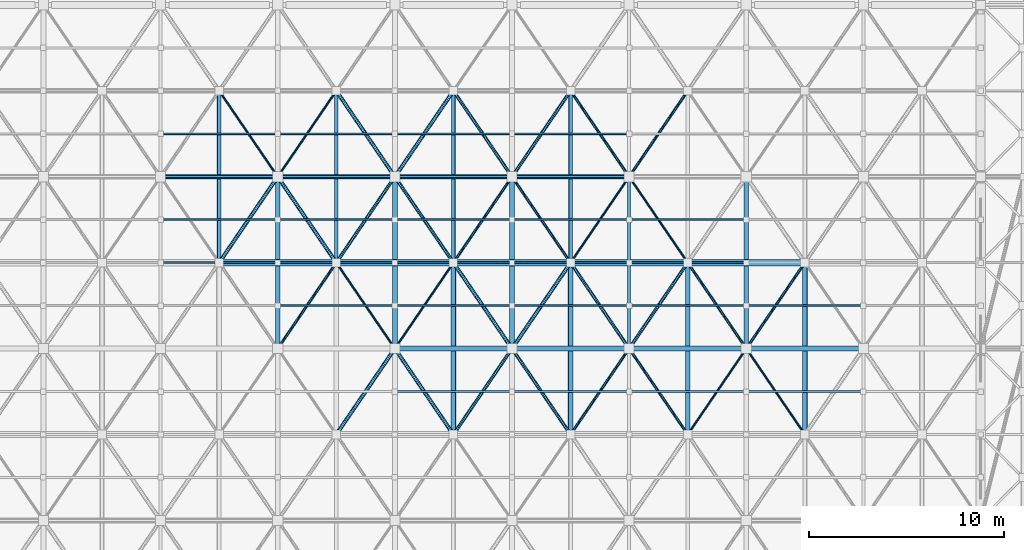
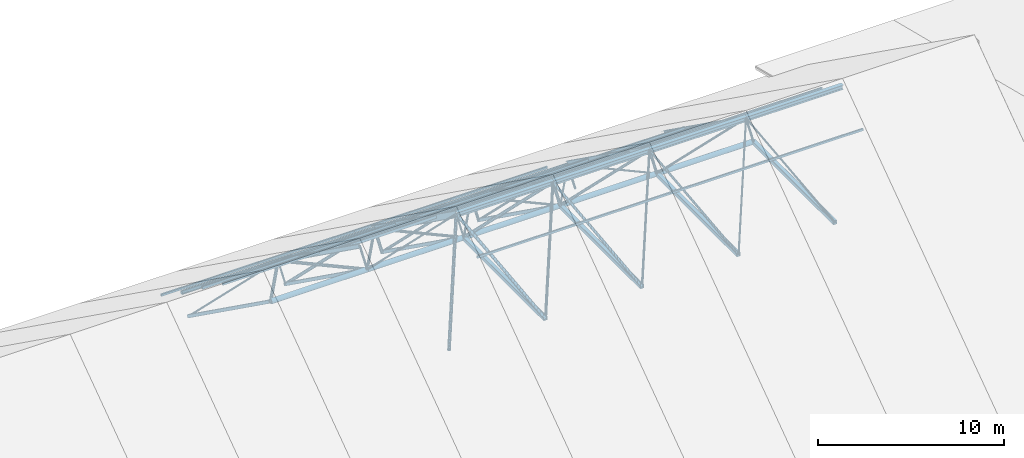
# One storey, part 22 of 55: 82 members.
"""IFC4 building model written with IfcOpenShell, lengths in metres."""

from ifc_helpers import new_model, si_unit, direction, frame, origin, origin_2d, place, context, subcontext, project, spatial, hollow_rectangle, hollow_circle, i_section, extrude, material, material_profile, profile_set, type_object, element, save


model = new_model("IFC4")

# Units and contexts
model_context = context("Model", 3, precision=1e-05, world=origin(), true_north=direction((0.0, 1.0)))
body_context = subcontext(model_context, "Body", "Model", "MODEL_VIEW")
ifc_project = project(units=[si_unit("LENGTHUNIT", "METRE"), si_unit("AREAUNIT", "SQUARE_METRE"), si_unit("VOLUMEUNIT", "CUBIC_METRE"), si_unit("PLANEANGLEUNIT", "RADIAN"), si_unit("MASSUNIT", "GRAM", prefix="KILO")], contexts=[model_context])

# Site, building, storey
site_placement = place(None, origin())
site = spatial("IfcSite", under=ifc_project, at=site_placement, CompositionType="ELEMENT")
building_placement = place(site_placement, origin())
building = spatial("IfcBuilding", under=site, at=building_placement, Name="Varnakota Cinema and Media Centre", CompositionType="ELEMENT")
storey_placement = place(building_placement, frame((0.0, 0.0, 15.60009765625)))
storey = spatial("IfcBuildingStorey", under=building, at=storey_placement, Name="L04", CompositionType="ELEMENT", Elevation=15.60009765625)

# Members
ifc_material_1 = material(Name="Structural steel S355 (YSt 355)", Category="steel")
ifc_material_profile_1 = material_profile(ifc_material_1, hollow_circle(Radius=0.05712890625, WallThickness=0.00537109375, at=origin_2d()), Name="CHS 114.3x5.4")
ifc_profile_set_1 = profile_set([ifc_material_profile_1], Name="Structural steel S355 (YSt 355)")
member_type_1 = type_object("IfcMemberType", Name="MEM-ST-CHS114_3x5_4", PredefinedType="BRACE", material=ifc_profile_set_1)
member_1_placement = place(storey_placement, frame((96.0, 30.800048828125, 1.349853515625), z_axis=(0.40116493033, -0.588394819283, 0.702038628078), x_axis=(0.826236071711, 0.563324022037, 0.0)))
element("IfcMember", 1, at=member_1_placement, inside=storey, type_object=member_type_1, Name="V1 space-frame diagonal 4.4.2", PredefinedType="BRACE", context=body_context, shape_type="SweptSolid", body=[
    extrude(hollow_circle(Radius=0.05712890625, WallThickness=0.00537109375, at=origin_2d()), origin(), (0.0, 0.0, 1.0), 7.478271484375),
])
member_2_placement = place(storey_placement, frame((102.0, 22.0, 7.64990234375), z_axis=(0.40117263642, -0.58837347441, 0.702052113734), x_axis=(0.826221523208, 0.563345359959, 0.0)))
element("IfcMember", 2, at=member_2_placement, inside=storey, type_object=member_type_1, Name="V1 space-frame diagonal 5.3.2", PredefinedType="BRACE", context=body_context, shape_type="SweptSolid", body=[
    extrude(hollow_circle(Radius=0.05712890625, WallThickness=0.00537109375, at=origin_2d()), origin(), (0.0, 0.0, 1.0), 7.47802734375),
])
member_3_placement = place(storey_placement, frame((102.0, 30.800048828125, 1.349853515625), z_axis=(-0.40116493033, -0.588394819283, 0.702038628078), x_axis=(0.826236071711, -0.563324022037, 0.0)))
element("IfcMember", 3, at=member_3_placement, inside=storey, type_object=member_type_1, Name="V1 space-frame diagonal 5.4.1", PredefinedType="BRACE", context=body_context, shape_type="SweptSolid", body=[
    extrude(hollow_circle(Radius=0.05712890625, WallThickness=0.00537109375, at=origin_2d()), origin(), (0.0, 0.0, 1.0), 7.478271484375),
])
member_4_placement = place(storey_placement, frame((108.0, 22.0, 7.64990234375), z_axis=(-0.40117263642, -0.58837347441, 0.702052113734), x_axis=(0.826221523208, -0.563345359959, 0.0)))
element("IfcMember", 4, at=member_4_placement, inside=storey, type_object=member_type_1, Name="V1 space-frame diagonal 6.3.1", PredefinedType="BRACE", context=body_context, shape_type="SweptSolid", body=[
    extrude(hollow_circle(Radius=0.05712890625, WallThickness=0.00537109375, at=origin_2d()), origin(), (0.0, 0.0, 1.0), 7.47802734375),
])
member_5_placement = place(storey_placement, frame((114.0, 22.0, 7.64990234375), z_axis=(0.552703271274, 0.810613472892, -0.193455140767), x_axis=(-0.826221523208, 0.563345359959, 0.0)))
element("IfcMember", 5, at=member_5_placement, inside=storey, type_object=member_type_1, Name="V1 space-frame diagonal 7.3.4", PredefinedType="BRACE", context=body_context, shape_type="SweptSolid", body=[
    extrude(hollow_circle(Radius=0.05712890625, WallThickness=0.00537109375, at=origin_2d()), origin(), (0.0, 0.0, 1.0), 5.427978515625),
])
member_6_placement = place(storey_placement, frame((120.0, 13.199951171875, 7.64990234375), z_axis=(0.40116493033, 0.588394819283, 0.702038628078), x_axis=(-0.826236071711, 0.563324022037, 0.0)))
element("IfcMember", 6, at=member_6_placement, inside=storey, type_object=member_type_1, Name="V1 space-frame diagonal 8.2.4", PredefinedType="BRACE", context=body_context, shape_type="SweptSolid", body=[
    extrude(hollow_circle(Radius=0.05712890625, WallThickness=0.00537109375, at=origin_2d()), origin(), (0.0, 0.0, 1.0), 7.478271484375),
])
member_7_placement = place(storey_placement, frame((120.0, 22.0, 7.64990234375), z_axis=(-0.552703271274, 0.810613472892, -0.193455140767), x_axis=(-0.826221523208, -0.563345359959, 0.0)))
element("IfcMember", 7, at=member_7_placement, inside=storey, type_object=member_type_1, Name="V1 space-frame diagonal 8.3.3", PredefinedType="BRACE", context=body_context, shape_type="SweptSolid", body=[
    extrude(hollow_circle(Radius=0.05712890625, WallThickness=0.00537109375, at=origin_2d()), origin(), (0.0, 0.0, 1.0), 5.427978515625),
])
member_8_placement = place(storey_placement, frame((126.0, 13.199951171875, 7.64990234375), z_axis=(-0.40116493033, 0.588394819283, 0.702038628078), x_axis=(-0.826236071711, -0.563324022037, 0.0)))
element("IfcMember", 8, at=member_8_placement, inside=storey, type_object=member_type_1, Name="V1 space-frame diagonal 9.2.3", PredefinedType="BRACE", context=body_context, shape_type="SweptSolid", body=[
    extrude(hollow_circle(Radius=0.05712890625, WallThickness=0.00537109375, at=origin_2d()), origin(), (0.0, 0.0, 1.0), 7.478271484375),
])
ifc_material_2 = material(Name="Structural steel S355 (YSt 355)", Category="steel")
ifc_material_profile_2 = material_profile(ifc_material_2, hollow_circle(Radius=0.06982421875, WallThickness=0.006103515625, at=origin_2d()), Name="CHS 139.7x6.0")
ifc_profile_set_2 = profile_set([ifc_material_profile_2], Name="Structural steel S355 (YSt 355)")
member_type_2 = type_object("IfcMemberType", Name="MEM-ST-CHS139_7x6_0", PredefinedType="CHORD", material=ifc_profile_set_2)
member_9_placement = place(storey_placement, frame((102.0, 22.0, 7.64990234375), z_axis=(-0.40117263642, -0.58837347441, 0.702052113734), x_axis=(0.826221523208, -0.563345359959, 0.0)))
element("IfcMember", 9, at=member_9_placement, inside=storey, type_object=member_type_2, Name="V1 space-frame diagonal 5.3.1", PredefinedType="CHORD", context=body_context, shape_type="SweptSolid", body=[
    extrude(hollow_circle(Radius=0.06982421875, WallThickness=0.006103515625, at=origin_2d()), origin(), (0.0, 0.0, 1.0), 7.47802734375),
])
member_10_placement = place(storey_placement, frame((108.0, 22.0, 7.64990234375), z_axis=(0.552703271274, 0.810613472892, -0.193455140767), x_axis=(-0.826221523208, 0.563345359959, 0.0)))
element("IfcMember", 10, at=member_10_placement, inside=storey, type_object=member_type_2, Name="V1 space-frame diagonal 6.3.4", PredefinedType="CHORD", context=body_context, shape_type="SweptSolid", body=[
    extrude(hollow_circle(Radius=0.06982421875, WallThickness=0.006103515625, at=origin_2d()), origin(), (0.0, 0.0, 1.0), 5.427978515625),
])
member_11_placement = place(storey_placement, frame((114.0, 13.199951171875, 7.64990234375), z_axis=(0.40116493033, 0.588394819283, 0.702038628078), x_axis=(-0.826236071711, 0.563324022037, 0.0)))
element("IfcMember", 11, at=member_11_placement, inside=storey, type_object=member_type_2, Name="V1 space-frame diagonal 7.2.4", PredefinedType="CHORD", context=body_context, shape_type="SweptSolid", body=[
    extrude(hollow_circle(Radius=0.06982421875, WallThickness=0.006103515625, at=origin_2d()), origin(), (0.0, 0.0, 1.0), 7.478271484375),
])
member_12_placement = place(storey_placement, frame((114.0, 22.0, 7.64990234375), z_axis=(-0.552703271274, 0.810613472892, -0.193455140767), x_axis=(-0.826221523208, -0.563345359959, 0.0)))
element("IfcMember", 12, at=member_12_placement, inside=storey, type_object=member_type_2, Name="V1 space-frame diagonal 7.3.3", PredefinedType="CHORD", context=body_context, shape_type="SweptSolid", body=[
    extrude(hollow_circle(Radius=0.06982421875, WallThickness=0.006103515625, at=origin_2d()), origin(), (0.0, 0.0, 1.0), 5.427978515625),
])
for number, where, z_axis, x_axis, name in (
    (13, (114.0, 30.800048828125, 1.349853515625), (0.40116493033, -0.588394819283, 0.702038628078), (0.826236071711, 0.563324022037, 0.0), "V1 space-frame diagonal 7.4.2"),
    (14, (120.0, 13.199951171875, 7.64990234375), (-0.40116493033, 0.588394819283, 0.702038628078), (-0.826236071711, -0.563324022037, 0.0), "V1 space-frame diagonal 8.2.3"),
):
    element("IfcMember", number, at=place(storey_placement, frame(where, z_axis=z_axis, x_axis=x_axis)), inside=storey, type_object=member_type_2, Name=name, PredefinedType="CHORD", context=body_context, shape_type="SweptSolid", body=[
        extrude(hollow_circle(Radius=0.06982421875, WallThickness=0.006103515625, at=origin_2d()), origin(), (0.0, 0.0, 1.0), 7.478271484375),
    ])
member_13_placement = place(storey_placement, frame((120.0, 22.0, 7.64990234375), z_axis=(0.40117263642, -0.58837347441, 0.702052113734), x_axis=(0.826221523208, 0.563345359959, 0.0)))
element("IfcMember", 15, at=member_13_placement, inside=storey, type_object=member_type_2, Name="V1 space-frame diagonal 8.3.2", PredefinedType="CHORD", context=body_context, shape_type="SweptSolid", body=[
    extrude(hollow_circle(Radius=0.06982421875, WallThickness=0.006103515625, at=origin_2d()), origin(), (0.0, 0.0, 1.0), 7.47802734375),
])
member_14_placement = place(storey_placement, frame((120.0, 30.800048828125, 1.349853515625), z_axis=(-0.40116493033, -0.588394819283, 0.702038628078), x_axis=(0.826236071711, -0.563324022037, 0.0)))
element("IfcMember", 16, at=member_14_placement, inside=storey, type_object=member_type_2, Name="V1 space-frame diagonal 8.4.1", PredefinedType="CHORD", context=body_context, shape_type="SweptSolid", body=[
    extrude(hollow_circle(Radius=0.06982421875, WallThickness=0.006103515625, at=origin_2d()), origin(), (0.0, 0.0, 1.0), 7.478271484375),
])
member_15_placement = place(storey_placement, frame((126.0, 22.0, 7.64990234375), z_axis=(-0.40117263642, -0.58837347441, 0.702052113734), x_axis=(0.826221523208, -0.563345359959, 0.0)))
element("IfcMember", 17, at=member_15_placement, inside=storey, type_object=member_type_2, Name="V1 space-frame diagonal 9.3.1", PredefinedType="CHORD", context=body_context, shape_type="SweptSolid", body=[
    extrude(hollow_circle(Radius=0.06982421875, WallThickness=0.006103515625, at=origin_2d()), origin(), (0.0, 0.0, 1.0), 7.47802734375),
])
ifc_material_3 = material(Name="Structural steel S355 (YSt 355)", Category="steel")
ifc_material_profile_3 = material_profile(ifc_material_3, hollow_circle(Radius=0.084228515625, WallThickness=0.00634765625, at=origin_2d()), Name="CHS 168.3x6.3")
ifc_profile_set_3 = profile_set([ifc_material_profile_3], Name="Structural steel S355 (YSt 355)")
member_type_3 = type_object("IfcMemberType", Name="MEM-ST-CHS168_3x6_3", PredefinedType="BRACE", material=ifc_profile_set_3)
member_16_placement = place(storey_placement, frame((102.0, 22.0, 7.64990234375), z_axis=(0.552703271274, 0.810613472892, -0.193455140767), x_axis=(-0.826221523208, 0.563345359959, 0.0)))
element("IfcMember", 18, at=member_16_placement, inside=storey, type_object=member_type_3, Name="V1 space-frame diagonal 5.3.4", PredefinedType="BRACE", context=body_context, shape_type="SweptSolid", body=[
    extrude(hollow_circle(Radius=0.084228515625, WallThickness=0.00634765625, at=origin_2d()), origin(), (0.0, 0.0, 1.0), 5.427978515625),
])
member_17_placement = place(storey_placement, frame((108.0, 13.199951171875, 7.64990234375), z_axis=(0.40116493033, 0.588394819283, 0.702038628078), x_axis=(-0.826236071711, 0.563324022037, 0.0)))
element("IfcMember", 19, at=member_17_placement, inside=storey, type_object=member_type_3, Name="V1 space-frame diagonal 6.2.4", PredefinedType="BRACE", context=body_context, shape_type="SweptSolid", body=[
    extrude(hollow_circle(Radius=0.084228515625, WallThickness=0.00634765625, at=origin_2d()), origin(), (0.0, 0.0, 1.0), 7.478271484375),
])
member_18_placement = place(storey_placement, frame((108.0, 22.0, 7.64990234375), z_axis=(-0.552703271274, 0.810613472892, -0.193455140767), x_axis=(-0.826221523208, -0.563345359959, 0.0)))
element("IfcMember", 20, at=member_18_placement, inside=storey, type_object=member_type_3, Name="V1 space-frame diagonal 6.3.3", PredefinedType="BRACE", context=body_context, shape_type="SweptSolid", body=[
    extrude(hollow_circle(Radius=0.084228515625, WallThickness=0.00634765625, at=origin_2d()), origin(), (0.0, 0.0, 1.0), 5.427978515625),
])
for number, where, z_axis, x_axis, name in (
    (21, (108.0, 30.800048828125, 1.349853515625), (0.40116493033, -0.588394819283, 0.702038628078), (0.826236071711, 0.563324022037, 0.0), "V1 space-frame diagonal 6.4.2"),
    (22, (114.0, 13.199951171875, 7.64990234375), (-0.40116493033, 0.588394819283, 0.702038628078), (-0.826236071711, -0.563324022037, 0.0), "V1 space-frame diagonal 7.2.3"),
):
    element("IfcMember", number, at=place(storey_placement, frame(where, z_axis=z_axis, x_axis=x_axis)), inside=storey, type_object=member_type_3, Name=name, PredefinedType="BRACE", context=body_context, shape_type="SweptSolid", body=[
        extrude(hollow_circle(Radius=0.084228515625, WallThickness=0.00634765625, at=origin_2d()), origin(), (0.0, 0.0, 1.0), 7.478271484375),
    ])
member_19_placement = place(storey_placement, frame((114.0, 22.0, 7.64990234375), z_axis=(0.40117263642, -0.58837347441, 0.702052113734), x_axis=(0.826221523208, 0.563345359959, 0.0)))
element("IfcMember", 23, at=member_19_placement, inside=storey, type_object=member_type_3, Name="V1 space-frame diagonal 7.3.2", PredefinedType="BRACE", context=body_context, shape_type="SweptSolid", body=[
    extrude(hollow_circle(Radius=0.084228515625, WallThickness=0.00634765625, at=origin_2d()), origin(), (0.0, 0.0, 1.0), 7.47802734375),
])
member_20_placement = place(storey_placement, frame((114.0, 30.800048828125, 1.349853515625), z_axis=(-0.40116493033, -0.588394819283, 0.702038628078), x_axis=(0.826236071711, -0.563324022037, 0.0)))
element("IfcMember", 24, at=member_20_placement, inside=storey, type_object=member_type_3, Name="V1 space-frame diagonal 7.4.1", PredefinedType="BRACE", context=body_context, shape_type="SweptSolid", body=[
    extrude(hollow_circle(Radius=0.084228515625, WallThickness=0.00634765625, at=origin_2d()), origin(), (0.0, 0.0, 1.0), 7.478271484375),
])
member_21_placement = place(storey_placement, frame((120.0, 22.0, 7.64990234375), z_axis=(-0.40117263642, -0.58837347441, 0.702052113734), x_axis=(0.826221523208, -0.563345359959, 0.0)))
element("IfcMember", 25, at=member_21_placement, inside=storey, type_object=member_type_3, Name="V1 space-frame diagonal 8.3.1", PredefinedType="BRACE", context=body_context, shape_type="SweptSolid", body=[
    extrude(hollow_circle(Radius=0.084228515625, WallThickness=0.00634765625, at=origin_2d()), origin(), (0.0, 0.0, 1.0), 7.47802734375),
])
ifc_material_4 = material(Name="Structural steel S355 (YSt 355)", Category="steel")
ifc_material_profile_4 = material_profile(ifc_material_4, hollow_circle(Radius=0.096923828125, WallThickness=0.00634765625, at=origin_2d()), Name="CHS 193.7x6.3")
ifc_profile_set_4 = profile_set([ifc_material_profile_4], Name="Structural steel S355 (YSt 355)")
member_type_4 = type_object("IfcMemberType", Name="MEM-ST-CHS193_7x6_3", PredefinedType="CHORD", material=ifc_profile_set_4)
member_22_placement = place(storey_placement, frame((96.0, 22.0, 7.64990234375), z_axis=(0.552703271274, 0.810613472892, -0.193455140767), x_axis=(-0.826221523208, 0.563345359959, 0.0)))
element("IfcMember", 26, at=member_22_placement, inside=storey, type_object=member_type_4, Name="V1 space-frame diagonal 4.3.4", PredefinedType="CHORD", context=body_context, shape_type="SweptSolid", body=[
    extrude(hollow_circle(Radius=0.096923828125, WallThickness=0.00634765625, at=origin_2d()), origin(), (0.0, 0.0, 1.0), 5.427978515625),
])
member_23_placement = place(storey_placement, frame((102.0, 13.199951171875, 7.64990234375), z_axis=(0.40116493033, 0.588394819283, 0.702038628078), x_axis=(-0.826236071711, 0.563324022037, 0.0)))
element("IfcMember", 27, at=member_23_placement, inside=storey, type_object=member_type_4, Name="V1 space-frame diagonal 5.2.4", PredefinedType="CHORD", context=body_context, shape_type="SweptSolid", body=[
    extrude(hollow_circle(Radius=0.096923828125, WallThickness=0.00634765625, at=origin_2d()), origin(), (0.0, 0.0, 1.0), 7.478271484375),
])
member_24_placement = place(storey_placement, frame((102.0, 22.0, 7.64990234375), z_axis=(-0.552703271274, 0.810613472892, -0.193455140767), x_axis=(-0.826221523208, -0.563345359959, 0.0)))
element("IfcMember", 28, at=member_24_placement, inside=storey, type_object=member_type_4, Name="V1 space-frame diagonal 5.3.3", PredefinedType="CHORD", context=body_context, shape_type="SweptSolid", body=[
    extrude(hollow_circle(Radius=0.096923828125, WallThickness=0.00634765625, at=origin_2d()), origin(), (0.0, 0.0, 1.0), 5.427978515625),
])
for number, where, z_axis, x_axis, name in (
    (29, (102.0, 30.800048828125, 1.349853515625), (0.40116493033, -0.588394819283, 0.702038628078), (0.826236071711, 0.563324022037, 0.0), "V1 space-frame diagonal 5.4.2"),
    (30, (108.0, 13.199951171875, 7.64990234375), (-0.40116493033, 0.588394819283, 0.702038628078), (-0.826236071711, -0.563324022037, 0.0), "V1 space-frame diagonal 6.2.3"),
):
    element("IfcMember", number, at=place(storey_placement, frame(where, z_axis=z_axis, x_axis=x_axis)), inside=storey, type_object=member_type_4, Name=name, PredefinedType="CHORD", context=body_context, shape_type="SweptSolid", body=[
        extrude(hollow_circle(Radius=0.096923828125, WallThickness=0.00634765625, at=origin_2d()), origin(), (0.0, 0.0, 1.0), 7.478271484375),
    ])
member_25_placement = place(storey_placement, frame((108.0, 22.0, 7.64990234375), z_axis=(0.40117263642, -0.58837347441, 0.702052113734), x_axis=(0.826221523208, 0.563345359959, 0.0)))
element("IfcMember", 31, at=member_25_placement, inside=storey, type_object=member_type_4, Name="V1 space-frame diagonal 6.3.2", PredefinedType="CHORD", context=body_context, shape_type="SweptSolid", body=[
    extrude(hollow_circle(Radius=0.096923828125, WallThickness=0.00634765625, at=origin_2d()), origin(), (0.0, 0.0, 1.0), 7.47802734375),
])
member_26_placement = place(storey_placement, frame((108.0, 30.800048828125, 1.349853515625), z_axis=(-0.40116493033, -0.588394819283, 0.702038628078), x_axis=(0.826236071711, -0.563324022037, 0.0)))
element("IfcMember", 32, at=member_26_placement, inside=storey, type_object=member_type_4, Name="V1 space-frame diagonal 6.4.1", PredefinedType="CHORD", context=body_context, shape_type="SweptSolid", body=[
    extrude(hollow_circle(Radius=0.096923828125, WallThickness=0.00634765625, at=origin_2d()), origin(), (0.0, 0.0, 1.0), 7.478271484375),
])
member_27_placement = place(storey_placement, frame((114.0, 22.0, 7.64990234375), z_axis=(-0.40117263642, -0.58837347441, 0.702052113734), x_axis=(0.826221523208, -0.563345359959, 0.0)))
element("IfcMember", 33, at=member_27_placement, inside=storey, type_object=member_type_4, Name="V1 space-frame diagonal 7.3.1", PredefinedType="CHORD", context=body_context, shape_type="SweptSolid", body=[
    extrude(hollow_circle(Radius=0.096923828125, WallThickness=0.00634765625, at=origin_2d()), origin(), (0.0, 0.0, 1.0), 7.47802734375),
])
ifc_material_5 = material(Name="Structural steel S355 (YSt 355)", Category="steel")
ifc_material_profile_5 = material_profile(ifc_material_5, hollow_circle(Radius=0.122314453125, WallThickness=0.008056640625, at=origin_2d()), Name="CHS 244.5x8.0")
ifc_profile_set_5 = profile_set([ifc_material_profile_5], Name="Structural steel S355 (YSt 355)")
member_type_5 = type_object("IfcMemberType", Name="MEM-ST-CHS244_5x8_0", PredefinedType="CHORD", material=ifc_profile_set_5)
for number, where, z_axis, x_axis, name in (
    (34, (93.0, 26.39990234375, 6.599853515625), (1.0, 0.0, 0.0), (0.0, 1.0, 0.0), "V1 top longitudinal chord 4.4"),
    (35, (99.0, 26.39990234375, 6.599853515625), (1.0, 0.0, 0.0), (0.0, 1.0, 0.0), "V1 top longitudinal chord 5.4"),
    (36, (105.0, 26.39990234375, 6.599853515625), (1.0, 0.0, 0.0), (0.0, 1.0, 0.0), "V1 top longitudinal chord 6.4"),
    (37, (111.0, 26.39990234375, 6.599853515625), (1.0, 0.0, 0.0), (0.0, 1.0, 0.0), "V1 top longitudinal chord 7.4"),
):
    element("IfcMember", number, at=place(storey_placement, frame(where, z_axis=z_axis, x_axis=x_axis)), inside=storey, type_object=member_type_5, Name=name, PredefinedType="CHORD", context=body_context, shape_type="SweptSolid", body=[
        extrude(hollow_circle(Radius=0.122314453125, WallThickness=0.008056640625, at=origin_2d()), origin(), (0.0, 0.0, 1.0), 6.0),
    ])
ifc_material_6 = material(Name="Structural steel S355 (YSt 355)", Category="steel")
ifc_material_profile_6 = material_profile(ifc_material_6, hollow_circle(Radius=0.161865234375, WallThickness=0.010009765625, at=origin_2d()), Name="CHS 323.9x10.0")
ifc_profile_set_6 = profile_set([ifc_material_profile_6], Name="Structural steel S355 (YSt 355)")
member_type_6 = type_object("IfcMemberType", Name="MEM-ST-CHS323_9x10_0", PredefinedType="CHORD", material=ifc_profile_set_6)
for number, where, z_axis, x_axis, name in (
    (38, (96.0, 22.0, 7.64990234375), (1.0, 0.0, 0.0), (0.0, 1.0, 0.0), "V1 bottom longitudinal chord 4.3"),
    (39, (102.0, 22.0, 7.64990234375), (1.0, 0.0, 0.0), (0.0, 1.0, 0.0), "V1 bottom longitudinal chord 5.3"),
    (40, (108.0, 22.0, 7.64990234375), (1.0, 0.0, 0.0), (0.0, 1.0, 0.0), "V1 bottom longitudinal chord 6.3"),
    (41, (114.0, 22.0, 7.64990234375), (1.0, 0.0, 0.0), (0.0, 1.0, 0.0), "V1 bottom longitudinal chord 7.3"),
    (42, (120.0, 22.0, 7.64990234375), (1.0, 0.0, 0.0), (0.0, 1.0, 0.0), "V1 bottom longitudinal chord 8.3"),
):
    element("IfcMember", number, at=place(storey_placement, frame(where, z_axis=z_axis, x_axis=x_axis)), inside=storey, type_object=member_type_6, Name=name, PredefinedType="CHORD", context=body_context, shape_type="SweptSolid", body=[
        extrude(hollow_circle(Radius=0.161865234375, WallThickness=0.010009765625, at=origin_2d()), origin(), (0.0, 0.0, 1.0), 6.0),
    ])
ifc_material_7 = material(Name="Structural steel Grade 350 (E350)", Category="steel")
ifc_material_profile_7 = material_profile(ifc_material_7, i_section(OverallWidth=0.25, OverallDepth=0.25, WebThickness=0.0087890625, FlangeThickness=0.009765625, FilletRadius=0.010009765625, at=origin_2d()), Name="ISHB 250")
ifc_profile_set_7 = profile_set([ifc_material_profile_7], Name="Structural steel Grade 350 (E350)")
member_type_7 = type_object("IfcMemberType", Name="MEM-ST-ISHB250", PredefinedType="CHORD", material=ifc_profile_set_7)
for number, where, z_axis, x_axis, name in (
    (43, (99.0, 17.60009765625, 12.89990234375), (0.0, 0.813100435345, -0.582123425093), (-1.0, 0.0, 0.0), "V1 top transverse chord 5.3"),
    (44, (111.0, 17.60009765625, 12.89990234375), (0.0, 0.813100435345, -0.582123425093), (-1.0, 0.0, 0.0), "V1 top transverse chord 7.3"),
    (45, (123.0, 17.60009765625, 12.89990234375), (0.0, 0.813100435345, -0.582123425093), (-1.0, 0.0, 0.0), "V1 top transverse chord 9.3"),
):
    element("IfcMember", number, at=place(storey_placement, frame(where, z_axis=z_axis, x_axis=x_axis)), inside=storey, type_object=member_type_7, Name=name, PredefinedType="CHORD", context=body_context, shape_type="SweptSolid", body=[
        extrude(i_section(OverallWidth=0.25, OverallDepth=0.25, WebThickness=0.0087890625, FlangeThickness=0.009765625, FilletRadius=0.010009765625, at=origin_2d()), origin(), (0.0, 0.0, 1.0), 10.822509765625),
    ])
ifc_material_8 = material(Name="Structural steel Grade 350 (E350)", Category="steel")
ifc_material_profile_8 = material_profile(ifc_material_8, i_section(OverallWidth=0.25, OverallDepth=0.300048828125, WebThickness=0.009521484375, FlangeThickness=0.010498046875, FilletRadius=0.010986328125, at=origin_2d()), Name="ISHB 300")
ifc_profile_set_8 = profile_set([ifc_material_profile_8], Name="Structural steel Grade 350 (E350)")
member_type_8 = type_object("IfcMemberType", Name="MEM-ST-ISHB300", PredefinedType="CHORD", material=ifc_profile_set_8)
for number, where, z_axis, x_axis, name in (
    (46, (105.0, 17.60009765625, 12.89990234375), (1.0, 0.0, 0.0), (0.0, 1.0, 0.0), "V1 top longitudinal chord 6.3"),
    (47, (111.0, 17.60009765625, 12.89990234375), (1.0, 0.0, 0.0), (0.0, 1.0, 0.0), "V1 top longitudinal chord 7.3"),
    (48, (117.0, 17.60009765625, 12.89990234375), (1.0, 0.0, 0.0), (0.0, 1.0, 0.0), "V1 top longitudinal chord 8.3"),
    (49, (123.0, 17.60009765625, 12.89990234375), (1.0, 0.0, 0.0), (0.0, 1.0, 0.0), "V1 top longitudinal chord 9.3"),
):
    element("IfcMember", number, at=place(storey_placement, frame(where, z_axis=z_axis, x_axis=x_axis)), inside=storey, type_object=member_type_8, Name=name, PredefinedType="CHORD", context=body_context, shape_type="SweptSolid", body=[
        extrude(i_section(OverallWidth=0.25, OverallDepth=0.300048828125, WebThickness=0.009521484375, FlangeThickness=0.010498046875, FilletRadius=0.010986328125, at=origin_2d()), origin(), (0.0, 0.0, 1.0), 6.0),
    ])
ifc_material_9 = material(Name="Structural steel Grade 350 (E350)", Category="steel")
ifc_material_profile_9 = material_profile(ifc_material_9, i_section(OverallWidth=0.25, OverallDepth=0.39990234375, WebThickness=0.010498046875, FlangeThickness=0.0126953125, FilletRadius=0.011962890625, at=origin_2d()), Name="ISHB 400")
ifc_profile_set_9 = profile_set([ifc_material_profile_9], Name="Structural steel Grade 350 (E350)")
member_type_9 = type_object("IfcMemberType", Name="MEM-ST-ISHB400", PredefinedType="CHORD", material=ifc_profile_set_9)
member_28_placement = place(storey_placement, frame((105.0, 17.60009765625, 12.89990234375), z_axis=(0.0, 0.813100435345, -0.582123425093), x_axis=(-1.0, 0.0, 0.0)))
element("IfcMember", 50, at=member_28_placement, inside=storey, type_object=member_type_9, Name="V1 top transverse chord 6.3", PredefinedType="CHORD", context=body_context, shape_type="SweptSolid", body=[
    extrude(i_section(OverallWidth=0.25, OverallDepth=0.39990234375, WebThickness=0.010498046875, FlangeThickness=0.0126953125, FilletRadius=0.011962890625, at=origin_2d()), origin(), (0.0, 0.0, 1.0), 10.822509765625),
])
ifc_material_10 = material(Name="Structural steel Grade 350 (E350)", Category="steel")
ifc_material_profile_10 = material_profile(ifc_material_10, i_section(OverallWidth=0.14990234375, OverallDepth=0.449951171875, WebThickness=0.009521484375, FlangeThickness=0.017333984375, FilletRadius=0.014892578125, at=origin_2d()), Name="ISMB 450")
ifc_profile_set_10 = profile_set([ifc_material_profile_10], Name="Structural steel Grade 350 (E350)")
member_type_10 = type_object("IfcMemberType", Name="MEM-ST-ISMB450", PredefinedType="RAFTER", material=ifc_profile_set_10)
member_29_placement = place(storey_placement, frame((117.0, 17.60009765625, 12.89990234375), z_axis=(0.0, 0.813100435345, -0.582123425093), x_axis=(-1.0, 0.0, 0.0)))
element("IfcMember", 51, at=member_29_placement, inside=storey, type_object=member_type_10, Name="V1 top transverse chord 8.3", PredefinedType="RAFTER", context=body_context, shape_type="SweptSolid", body=[
    extrude(i_section(OverallWidth=0.14990234375, OverallDepth=0.449951171875, WebThickness=0.009521484375, FlangeThickness=0.017333984375, FilletRadius=0.014892578125, at=origin_2d()), origin(), (0.0, 0.0, 1.0), 10.822509765625),
])
ifc_material_11 = material(Name="Structural steel S355 (YSt 355)", Category="steel")
ifc_material_profile_11 = material_profile(ifc_material_11, hollow_rectangle(XDim=0.10009765625, YDim=0.14990234375, WallThickness=0.006103515625, InnerFilletRadius=0.006103515625, OuterFilletRadius=0.011962890625, at=origin_2d()), Name="RHS 150x100x6")
ifc_profile_set_11 = profile_set([ifc_material_profile_11], Name="Structural steel S355 (YSt 355)")
member_type_11 = type_object("IfcMemberType", Name="MEM-ST-RHS150x100x6", PredefinedType="PURLIN", material=ifc_profile_set_11)
for number, where, z_axis, x_axis, name in (
    (52, (105.0, 15.39990234375, 11.40478515625), (1.0, 0.0, 0.0), (0.0, 1.0, 0.0), "V1 roof purlin 6.6"),
    (53, (111.0, 15.39990234375, 11.40478515625), (1.0, 0.0, 0.0), (0.0, 1.0, 0.0), "V1 roof purlin 6.7"),
    (54, (117.0, 15.39990234375, 11.40478515625), (1.0, 0.0, 0.0), (0.0, 1.0, 0.0), "V1 roof purlin 6.8"),
    (55, (123.0, 15.39990234375, 11.40478515625), (1.0, 0.0, 0.0), (0.0, 1.0, 0.0), "V1 roof purlin 6.9"),
    (56, (93.0, 22.0, 9.829833984375), (1.0, 0.0, 0.0), (0.0, 1.0, 0.0), "V1 roof purlin 8.4"),
    (57, (99.0, 22.0, 9.829833984375), (1.0, 0.0, 0.0), (0.0, 1.0, 0.0), "V1 roof purlin 8.5"),
    (58, (105.0, 22.0, 9.829833984375), (1.0, 0.0, 0.0), (0.0, 1.0, 0.0), "V1 roof purlin 8.6"),
    (59, (111.0, 22.0, 9.829833984375), (1.0, 0.0, 0.0), (0.0, 1.0, 0.0), "V1 roof purlin 8.7"),
    (60, (117.0, 22.0, 9.829833984375), (1.0, 0.0, 0.0), (0.0, 1.0, 0.0), "V1 roof purlin 8.8"),
    (61, (93.0, 28.60009765625, 5.10498046875), (1.0, 0.0, 0.0), (0.0, 1.0, 0.0), "V1 roof purlin 10.4"),
    (62, (99.0, 28.60009765625, 5.10498046875), (1.0, 0.0, 0.0), (0.0, 1.0, 0.0), "V1 roof purlin 10.5"),
    (63, (105.0, 28.60009765625, 5.10498046875), (1.0, 0.0, 0.0), (0.0, 1.0, 0.0), "V1 roof purlin 10.6"),
    (64, (111.0, 28.60009765625, 5.10498046875), (1.0, 0.0, 0.0), (0.0, 1.0, 0.0), "V1 roof purlin 10.7"),
):
    element("IfcMember", number, at=place(storey_placement, frame(where, z_axis=z_axis, x_axis=x_axis)), inside=storey, type_object=member_type_11, Name=name, PredefinedType="PURLIN", context=body_context, shape_type="SweptSolid", body=[
        extrude(hollow_rectangle(XDim=0.10009765625, YDim=0.14990234375, WallThickness=0.006103515625, InnerFilletRadius=0.006103515625, OuterFilletRadius=0.011962890625, at=origin_2d()), origin(), (0.0, 0.0, 1.0), 6.0),
    ])
ifc_material_12 = material(Name="Structural steel S355 (YSt 355)", Category="steel")
ifc_material_profile_12 = material_profile(ifc_material_12, hollow_rectangle(XDim=0.10009765625, YDim=0.199951171875, WallThickness=0.006103515625, InnerFilletRadius=0.006103515625, OuterFilletRadius=0.011962890625, at=origin_2d()), Name="RHS 200x100x6")
ifc_profile_set_12 = profile_set([ifc_material_profile_12], Name="Structural steel S355 (YSt 355)")
member_type_12 = type_object("IfcMemberType", Name="MEM-ST-RHS200x100x6", PredefinedType="PURLIN", material=ifc_profile_set_12)
for number, where, z_axis, x_axis, name in (
    (65, (99.0, 19.800048828125, 11.40478515625), (1.0, 0.0, 0.0), (0.0, 1.0, 0.0), "V1 roof purlin 7.5"),
    (66, (105.0, 19.800048828125, 11.40478515625), (1.0, 0.0, 0.0), (0.0, 1.0, 0.0), "V1 roof purlin 7.6"),
    (67, (111.0, 19.800048828125, 11.40478515625), (1.0, 0.0, 0.0), (0.0, 1.0, 0.0), "V1 roof purlin 7.7"),
    (68, (117.0, 19.800048828125, 11.40478515625), (1.0, 0.0, 0.0), (0.0, 1.0, 0.0), "V1 roof purlin 7.8"),
    (69, (123.0, 19.800048828125, 11.40478515625), (1.0, 0.0, 0.0), (0.0, 1.0, 0.0), "V1 roof purlin 7.9"),
    (70, (93.0, 24.199951171875, 8.2548828125), (1.0, 0.0, 0.0), (0.0, 1.0, 0.0), "V1 roof purlin 9.4"),
    (71, (99.0, 24.199951171875, 8.2548828125), (1.0, 0.0, 0.0), (0.0, 1.0, 0.0), "V1 roof purlin 9.5"),
    (72, (105.0, 24.199951171875, 8.2548828125), (1.0, 0.0, 0.0), (0.0, 1.0, 0.0), "V1 roof purlin 9.6"),
    (73, (111.0, 24.199951171875, 8.2548828125), (1.0, 0.0, 0.0), (0.0, 1.0, 0.0), "V1 roof purlin 9.7"),
    (74, (117.0, 24.199951171875, 8.2548828125), (1.0, 0.0, 0.0), (0.0, 1.0, 0.0), "V1 roof purlin 9.8"),
):
    element("IfcMember", number, at=place(storey_placement, frame(where, z_axis=z_axis, x_axis=x_axis)), inside=storey, type_object=member_type_12, Name=name, PredefinedType="PURLIN", context=body_context, shape_type="SweptSolid", body=[
        extrude(hollow_rectangle(XDim=0.10009765625, YDim=0.199951171875, WallThickness=0.006103515625, InnerFilletRadius=0.006103515625, OuterFilletRadius=0.011962890625, at=origin_2d()), origin(), (0.0, 0.0, 1.0), 6.0),
    ])
ifc_material_13 = material(Name="Structural steel S355 (YSt 355)", Category="steel")
ifc_material_profile_13 = material_profile(ifc_material_13, hollow_rectangle(XDim=0.199951171875, YDim=0.199951171875, WallThickness=0.010009765625, InnerFilletRadius=0.010009765625, OuterFilletRadius=0.02001953125, at=origin_2d()), Name="SHS 200x200x10")
ifc_profile_set_13 = profile_set([ifc_material_profile_13], Name="Structural steel S355 (YSt 355)")
member_type_13 = type_object("IfcMemberType", Name="MEM-ST-SHS200x200x10", PredefinedType="STRUT", material=ifc_profile_set_13)
for number, where, z_axis, x_axis, name in (
    (75, (96.0, 22.0, 7.64990234375), (0.0, 0.813108079498, -0.582112747717), (-1.0, 0.0, 0.0), "V1 bottom transverse chord 4.3"),
    (76, (102.0, 22.0, 7.64990234375), (0.0, 0.813108079498, -0.582112747717), (-1.0, 0.0, 0.0), "V1 bottom transverse chord 5.3"),
    (77, (108.0, 22.0, 7.64990234375), (0.0, 0.813108079498, -0.582112747717), (-1.0, 0.0, 0.0), "V1 bottom transverse chord 6.3"),
    (78, (114.0, 22.0, 7.64990234375), (0.0, 0.813108079498, -0.582112747717), (-1.0, 0.0, 0.0), "V1 bottom transverse chord 7.3"),
):
    element("IfcMember", number, at=place(storey_placement, frame(where, z_axis=z_axis, x_axis=x_axis)), inside=storey, type_object=member_type_13, Name=name, PredefinedType="STRUT", context=body_context, shape_type="SweptSolid", body=[
        extrude(hollow_rectangle(XDim=0.199951171875, YDim=0.199951171875, WallThickness=0.010009765625, InnerFilletRadius=0.010009765625, OuterFilletRadius=0.02001953125, at=origin_2d()), origin(), (0.0, 0.0, 1.0), 10.82275390625),
    ])
ifc_material_14 = material(Name="Structural steel S355 (YSt 355)", Category="steel")
ifc_material_profile_14 = material_profile(ifc_material_14, hollow_rectangle(XDim=0.25, YDim=0.25, WallThickness=0.010009765625, InnerFilletRadius=0.010009765625, OuterFilletRadius=0.02001953125, at=origin_2d()), Name="SHS 250x250x10")
ifc_profile_set_14 = profile_set([ifc_material_profile_14], Name="Structural steel S355 (YSt 355)")
member_type_14 = type_object("IfcMemberType", Name="MEM-ST-SHS250x250x10", PredefinedType="STRUT", material=ifc_profile_set_14)
for number, where, z_axis, x_axis, name in (
    (79, (108.0, 13.199951171875, 7.64990234375), (0.0, 1.0, 0.0), (-1.0, 0.0, 0.0), "V1 bottom transverse chord 6.2"),
    (80, (114.0, 13.199951171875, 7.64990234375), (0.0, 1.0, 0.0), (-1.0, 0.0, 0.0), "V1 bottom transverse chord 7.2"),
    (81, (120.0, 13.199951171875, 7.64990234375), (0.0, 1.0, 0.0), (-1.0, 0.0, 0.0), "V1 bottom transverse chord 8.2"),
    (82, (126.0, 13.199951171875, 7.64990234375), (0.0, 1.0, 0.0), (-1.0, 0.0, 0.0), "V1 bottom transverse chord 9.2"),
):
    element("IfcMember", number, at=place(storey_placement, frame(where, z_axis=z_axis, x_axis=x_axis)), inside=storey, type_object=member_type_14, Name=name, PredefinedType="STRUT", context=body_context, shape_type="SweptSolid", body=[
        extrude(hollow_rectangle(XDim=0.25, YDim=0.25, WallThickness=0.010009765625, InnerFilletRadius=0.010009765625, OuterFilletRadius=0.02001953125, at=origin_2d()), origin(), (0.0, 0.0, 1.0), 8.800048828125),
    ])

save(model, "model.ifc")
